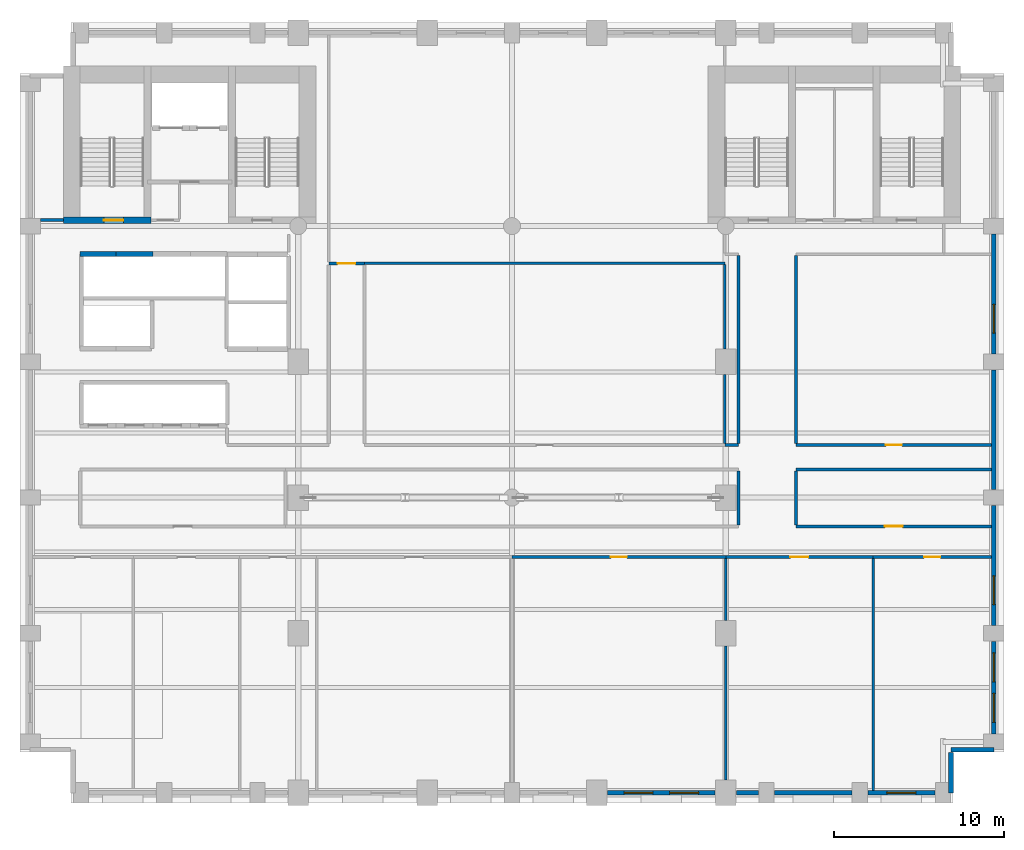
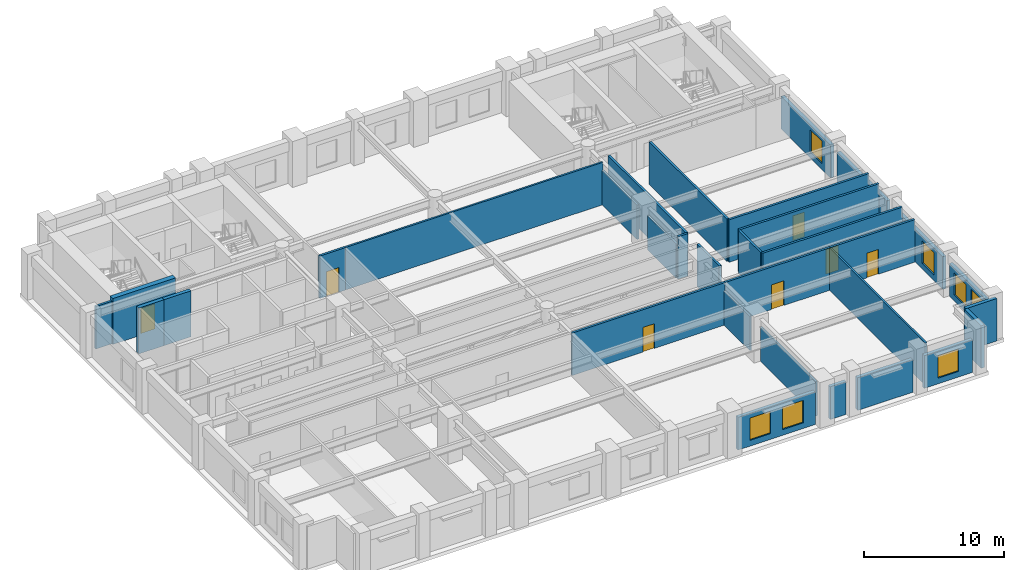
# One storey, part 6 of 11: 32 walls, 7 doors, 7 windows, 14 openings.
"""IFC4 building model written with IfcOpenShell, lengths in metres."""

from ifc_helpers import new_model, si_unit, direction, frame, frame_2d, origin, place, context, subcontext, project, spatial, rectangle, extrude, material, layer, layer_set, type_object, element, fill, save


model = new_model("IFC4")

# Units and contexts
model_context = context("Model", 3, precision=1e-05, world=origin(), true_north=direction((0.0, 1.0)))
body_context = subcontext(model_context, "Body", "Model", "MODEL_VIEW")
ifc_project = project(units=[si_unit("LENGTHUNIT", "METRE"), si_unit("AREAUNIT", "SQUARE_METRE"), si_unit("VOLUMEUNIT", "CUBIC_METRE"), si_unit("PLANEANGLEUNIT", "RADIAN"), si_unit("MASSUNIT", "GRAM", prefix="KILO")], contexts=[model_context])

# Site, building, storey
site_placement = place(None, origin())
site = spatial("IfcSite", under=ifc_project, at=site_placement, CompositionType="ELEMENT")
building_placement = place(site_placement, origin())
building = spatial("IfcBuilding", under=site, at=building_placement, Name="Sulina Concourse Tower", CompositionType="ELEMENT")
storey_placement = place(building_placement, frame((0.0, 0.0, 46.60009765625)))
storey = spatial("IfcBuildingStorey", under=building, at=storey_placement, Name="L11", CompositionType="ELEMENT", Elevation=46.60009765625)

# Walls
ifc_material_1 = material(Name="Concrete C50/60", Category="concrete")
ifc_layer_1 = layer(ifc_material_1, 0.300048828125)
ifc_layer_set_1 = layer_set([ifc_layer_1], Name="Concrete C50/60")
wall_type_1 = type_object("IfcWallType", Name="Core Lift Hoistway Wall 300mm", PredefinedType="SOLIDWALL", material=ifc_layer_set_1)
wall_1_placement = place(storey_placement, frame((3.550048828125, 32.35009765625, 0.0), z_axis=(0.0, 0.0, 1.0), x_axis=(1.0, 0.0, 0.0)))
element("IfcWall", 1, at=wall_1_placement, inside=storey, type_object=wall_type_1, Name="L11 hoistway enclosure wall LP-09", PredefinedType="SOLIDWALL", context=body_context, shape_type="SweptSolid", body=[
    extrude(rectangle(XDim=2.099853515625, YDim=0.300048828125, at=frame_2d((1.0498046875, 0.0))), origin(), (0.0, 0.0, 1.0), 4.0),
])
wall_2_placement = place(storey_placement, frame((5.64990234375, 32.35009765625, 0.0), z_axis=(0.0, 0.0, 1.0), x_axis=(1.0, 0.0, 0.0)))
element("IfcWall", 2, at=wall_2_placement, inside=storey, type_object=wall_type_1, Name="L11 hoistway enclosure wall LP-10", PredefinedType="SOLIDWALL", context=body_context, shape_type="SweptSolid", body=[
    extrude(rectangle(XDim=2.2001953125, YDim=0.300048828125, at=frame_2d((1.10009765625, 0.0))), origin(), (0.0, 0.0, 1.0), 4.0),
])
ifc_material_2 = material(Name="Gypsum board on steel stud", Category="steel")
ifc_layer_2 = layer(ifc_material_2, 0.14990234375)
ifc_layer_set_2 = layer_set([ifc_layer_2], Name="Gypsum board on steel stud")
wall_type_2 = type_object("IfcWallType", Name="Inter-Tenancy Acoustic Partition 150mm", PredefinedType="PARTITIONING", material=ifc_layer_set_2)
wall_3_placement = place(storey_placement, frame((20.300048828125, 31.800048828125, 0.0), z_axis=(0.0, 0.0, 1.0), x_axis=(1.0, 0.0, 0.0)))
element("IfcWall", 3, at=wall_3_placement, inside=storey, type_object=wall_type_2, Name="L11 interior partition 019", PredefinedType="PARTITIONING", context=body_context, shape_type="SweptSolid", body=[
    extrude(rectangle(XDim=21.25, YDim=0.14990234375, at=frame_2d((10.625, 0.0))), origin(), (0.0, 0.0, 1.0), 3.699951171875),
])
wall_4_placement = place(storey_placement, frame((41.550048828125, 21.18994140625, 0.0), z_axis=(0.0, 0.0, 1.0), x_axis=(0.0, 1.0, 0.0)))
element("IfcWall", 4, at=wall_4_placement, inside=storey, type_object=wall_type_2, Name="L11 interior partition 039", PredefinedType="PARTITIONING", context=body_context, shape_type="SweptSolid", body=[
    extrude(rectangle(XDim=4.06005859375, YDim=0.14990234375, at=frame_2d((2.030029296875, 0.0))), origin(), (0.0, 0.0, 1.0), 2.994873046875),
])
wall_5_placement = place(storey_placement, frame((41.550048828125, 26.75, 0.0), z_axis=(0.0, 0.0, 1.0), x_axis=(0.0, 1.0, 0.0)))
element("IfcWall", 5, at=wall_5_placement, inside=storey, type_object=wall_type_2, Name="L11 interior partition 040", PredefinedType="PARTITIONING", context=body_context, shape_type="SweptSolid", body=[
    extrude(rectangle(XDim=4.97509765625, YDim=0.14990234375, at=frame_2d((2.487548828125, 0.0))), origin(), (0.0, 0.0, 1.0), 2.994873046875),
])
wall_6_placement = place(storey_placement, frame((41.60009765625, 1.35009765625, 0.0), z_axis=(0.0, 0.0, 1.0), x_axis=(0.0, 1.0, 0.0)))
element("IfcWall", 6, at=wall_6_placement, inside=storey, type_object=wall_type_2, Name="L11 interior partition 043", PredefinedType="PARTITIONING", context=body_context, shape_type="SweptSolid", body=[
    extrude(rectangle(XDim=7.89990234375, YDim=0.14990234375, at=frame_2d((3.949951171875, 0.0))), origin(), (0.0, 0.0, 1.0), 2.994873046875),
])
wall_7_placement = place(storey_placement, frame((41.60009765625, 10.75, 0.0), z_axis=(0.0, 0.0, 1.0), x_axis=(0.0, 1.0, 0.0)))
element("IfcWall", 7, at=wall_7_placement, inside=storey, type_object=wall_type_2, Name="L11 interior partition 044", PredefinedType="PARTITIONING", context=body_context, shape_type="SweptSolid", body=[
    extrude(rectangle(XDim=3.659912109375, YDim=0.14990234375, at=frame_2d((1.830078125, 0.0))), origin(), (0.0, 0.0, 1.0), 2.994873046875),
])
wall_8_placement = place(storey_placement, frame((50.280029296875, 0.739990234375, 0.0), z_axis=(0.0, 0.0, 1.0), x_axis=(0.0, 1.0, 0.0)))
element("IfcWall", 8, at=wall_8_placement, inside=storey, type_object=wall_type_2, Name="L11 interior partition 050", PredefinedType="PARTITIONING", context=body_context, shape_type="SweptSolid", body=[
    extrude(rectangle(XDim=13.669921875, YDim=0.14990234375, at=frame_2d((6.8349609375, 0.0))), origin(), (0.0, 0.0, 1.0), 3.699951171875),
])

# Wall, opening, door
ifc_material_3 = material(Name="Gypsum board on steel stud", Category="steel")
ifc_layer_3 = layer(ifc_material_3, 0.179931640625)
ifc_layer_set_3 = layer_set([ifc_layer_3], Name="Gypsum board on steel stud")
wall_type_3 = type_object("IfcWallType", Name="Protected Corridor & Riser Partition 180mm", PredefinedType="PARTITIONING", material=ifc_layer_set_3)
wall_9_placement = place(storey_placement, frame((29.0, 14.5, 0.0), z_axis=(0.0, 0.0, 1.0), x_axis=(1.0, 0.0, 0.0)))
wall_9 = element("IfcWall", 9, at=wall_9_placement, inside=storey, type_object=wall_type_3, Name="L11 interior partition 005", PredefinedType="PARTITIONING", context=body_context, shape_type="SweptSolid", body=[
    extrude(rectangle(XDim=12.60009765625, YDim=0.179931640625, at=frame_2d((6.300048828125, 0.0))), origin(), (0.0, 0.0, 1.0), 3.699951171875),
])
opening_1_placement = place(wall_9_placement, frame((5.824951171875, 0.0, 0.0)))
opening_1 = element("IfcOpeningElement", 10, at=opening_1_placement, cuts=wall_9, Name="Opening DR-19", PredefinedType="OPENING", context=body_context, shape_type="SweptSolid", body=[
    extrude(rectangle(XDim=0.949951171875, YDim=2.14990234375, at=frame_2d((0.47509765625, 1.074951171875))), frame((0.0, 0.099853515625, 0.0), z_axis=(0.0, -1.0, 0.0), x_axis=(1.0, 0.0, 0.0)), (0.0, 0.0, 1.0), 0.199951171875),
])
ifc_material_4 = material(Name="Oak-veneered acoustic timber leaf", Category="wood")
ifc_layer_4 = layer(ifc_material_4, 0.050048828125)
ifc_layer_set_4 = layer_set([ifc_layer_4], Name="Oak-veneered acoustic timber leaf")
door_type_1 = type_object("IfcDoorType", Name="Cellular Office & Meeting Door 950x2150", OperationType="NOTDEFINED", PredefinedType="DOOR", material=ifc_layer_set_4)
door_1_placement = place(opening_1_placement, origin())
door_1 = element("IfcDoor", 11, at=door_1_placement, inside=storey, type_object=door_type_1, Name="L11 interior door L11-S04", OperationType="SINGLE_SWING_LEFT", OverallHeight=2.14990234375, OverallWidth=0.949951171875, PredefinedType="DOOR", context=body_context, shape_type="SweptSolid", body=[
    extrude(rectangle(XDim=0.949951171875, YDim=2.14990234375, at=frame_2d((0.47509765625, 1.074951171875))), frame((0.0, 0.02490234375, 0.0), z_axis=(0.0, -1.0, 0.0), x_axis=(1.0, 0.0, 0.0)), (0.0, 0.0, 1.0), 0.050048828125),
])
fill(opening_1, door_1)

wall_10_placement = place(storey_placement, frame((41.60009765625, 14.5, 0.0), z_axis=(0.0, 0.0, 1.0), x_axis=(1.0, 0.0, 0.0)))
wall_10 = element("IfcWall", 12, at=wall_10_placement, inside=storey, type_object=wall_type_3, Name="L11 interior partition 006", PredefinedType="PARTITIONING", context=body_context, shape_type="SweptSolid", body=[
    extrude(rectangle(XDim=8.679931640625, YDim=0.179931640625, at=frame_2d((4.33984375, 0.0))), origin(), (0.0, 0.0, 1.0), 3.699951171875),
])
opening_2_placement = place(wall_10_placement, frame((3.81494140625, 0.0, 0.0)))
opening_2 = element("IfcOpeningElement", 13, at=opening_2_placement, cuts=wall_10, Name="Opening DR-37", PredefinedType="OPENING", context=body_context, shape_type="SweptSolid", body=[
    extrude(rectangle(XDim=1.050048828125, YDim=2.14990234375, at=frame_2d((0.52490234375, 1.074951171875))), frame((0.0, 0.099853515625, 0.0), z_axis=(0.0, -1.0, 0.0), x_axis=(1.0, 0.0, 0.0)), (0.0, 0.0, 1.0), 0.199951171875),
])
ifc_material_5 = material(Name="Oak-veneered fire door leaf")
ifc_layer_5 = layer(ifc_material_5, 0.050048828125)
ifc_layer_set_5 = layer_set([ifc_layer_5], Name="Oak-veneered fire door leaf")
door_type_2 = type_object("IfcDoorType", Name="Tenant Suite Entrance Fire Door 1050x2150", OperationType="NOTDEFINED", PredefinedType="DOOR", material=ifc_layer_set_5)
door_2_placement = place(opening_2_placement, origin())
door_2 = element("IfcDoor", 14, at=door_2_placement, inside=storey, type_object=door_type_2, Name="L11 interior door L11-S05", OperationType="SINGLE_SWING_RIGHT", OverallHeight=2.14990234375, OverallWidth=1.050048828125, PredefinedType="DOOR", context=body_context, shape_type="SweptSolid", body=[
    extrude(rectangle(XDim=1.050048828125, YDim=2.14990234375, at=frame_2d((0.52490234375, 1.074951171875))), frame((0.0, 0.02490234375, 0.0), z_axis=(0.0, -1.0, 0.0), x_axis=(1.0, 0.0, 0.0)), (0.0, 0.0, 1.0), 0.050048828125),
])
fill(opening_2, door_2)

wall_11_placement = place(storey_placement, frame((50.280029296875, 14.5, 0.0), z_axis=(0.0, 0.0, 1.0), x_axis=(1.0, 0.0, 0.0)))
wall_11 = element("IfcWall", 15, at=wall_11_placement, inside=storey, type_object=wall_type_3, Name="L11 interior partition 007", PredefinedType="PARTITIONING", context=body_context, shape_type="SweptSolid", body=[
    extrude(rectangle(XDim=6.97998046875, YDim=0.179931640625, at=frame_2d((3.489990234375, 0.0))), origin(), (0.0, 0.0, 1.0), 3.699951171875),
])
opening_3_placement = place(wall_11_placement, frame((3.014892578125, 0.0, 0.0)))
opening_3 = element("IfcOpeningElement", 16, at=opening_3_placement, cuts=wall_11, Name="Opening DR-19", PredefinedType="OPENING", context=body_context, shape_type="SweptSolid", body=[
    extrude(rectangle(XDim=0.949951171875, YDim=2.14990234375, at=frame_2d((0.47509765625, 1.074951171875))), frame((0.0, 0.099853515625, 0.0), z_axis=(0.0, -1.0, 0.0), x_axis=(1.0, 0.0, 0.0)), (0.0, 0.0, 1.0), 0.199951171875),
])
door_3_placement = place(opening_3_placement, origin())
door_3 = element("IfcDoor", 17, at=door_3_placement, inside=storey, type_object=door_type_1, Name="L11 interior door L11-S06", OperationType="SINGLE_SWING_LEFT", OverallHeight=2.14990234375, OverallWidth=0.949951171875, PredefinedType="DOOR", context=body_context, shape_type="SweptSolid", body=[
    extrude(rectangle(XDim=0.949951171875, YDim=2.14990234375, at=frame_2d((0.47509765625, 1.074951171875))), frame((0.0, 0.02490234375, 0.0), z_axis=(0.0, -1.0, 0.0), x_axis=(1.0, 0.0, 0.0)), (0.0, 0.0, 1.0), 0.050048828125),
])
fill(opening_3, door_3)

wall_12_placement = place(storey_placement, frame((45.75, 16.300048828125, 0.0), z_axis=(0.0, 0.0, 1.0), x_axis=(1.0, 0.0, 0.0)))
wall_12 = element("IfcWall", 18, at=wall_12_placement, inside=storey, type_object=wall_type_3, Name="L11 interior partition 010", PredefinedType="PARTITIONING", context=body_context, shape_type="SweptSolid", body=[
    extrude(rectangle(XDim=11.510009765625, YDim=0.179931640625, at=frame_2d((5.7548828125, 0.0))), origin(), (0.0, 0.0, 1.0), 3.699951171875),
])
opening_4_placement = place(wall_12_placement, frame((5.22998046875, 0.0, 0.0)))
opening_4 = element("IfcOpeningElement", 19, at=opening_4_placement, cuts=wall_12, Name="Opening DR-37", PredefinedType="OPENING", context=body_context, shape_type="SweptSolid", body=[
    extrude(rectangle(XDim=1.050048828125, YDim=2.14990234375, at=frame_2d((0.52490234375, 1.074951171875))), frame((0.0, 0.099853515625, 0.0), z_axis=(0.0, -1.0, 0.0), x_axis=(1.0, 0.0, 0.0)), (0.0, 0.0, 1.0), 0.199951171875),
])
door_4_placement = place(opening_4_placement, origin())
door_4 = element("IfcDoor", 20, at=door_4_placement, inside=storey, type_object=door_type_2, Name="L11 interior door L11-OFF-LBTE", OperationType="SINGLE_SWING_LEFT", OverallHeight=2.14990234375, OverallWidth=1.050048828125, PredefinedType="DOOR", context=body_context, shape_type="SweptSolid", body=[
    extrude(rectangle(XDim=1.050048828125, YDim=2.14990234375, at=frame_2d((0.52490234375, 1.074951171875))), frame((0.0, 0.02490234375, 0.0), z_axis=(0.0, -1.0, 0.0), x_axis=(1.0, 0.0, 0.0)), (0.0, 0.0, 1.0), 0.050048828125),
])
fill(opening_4, door_4)

# Walls
wall_13_placement = place(storey_placement, frame((45.75, 19.64990234375, 0.0), z_axis=(0.0, 0.0, 1.0), x_axis=(1.0, 0.0, 0.0)))
element("IfcWall", 21, at=wall_13_placement, inside=storey, type_object=wall_type_3, Name="L11 interior partition 013", PredefinedType="PARTITIONING", context=body_context, shape_type="SweptSolid", body=[
    extrude(rectangle(XDim=11.510009765625, YDim=0.179931640625, at=frame_2d((5.7548828125, 0.0))), origin(), (0.0, 0.0, 1.0), 3.699951171875),
])
wall_14_placement = place(storey_placement, frame((41.550048828125, 21.10009765625, 0.0), z_axis=(0.0, 0.0, 1.0), x_axis=(1.0, 0.0, 0.0)))
element("IfcWall", 22, at=wall_14_placement, inside=storey, type_object=wall_type_3, Name="L11 interior partition 016", PredefinedType="PARTITIONING", context=body_context, shape_type="SweptSolid", body=[
    extrude(rectangle(XDim=0.800048828125, YDim=0.179931640625, at=frame_2d((0.39990234375, 0.0))), origin(), (0.0, 0.0, 1.0), 3.699951171875),
])

# Wall, opening, door
wall_15_placement = place(storey_placement, frame((45.75, 21.10009765625, 0.0), z_axis=(0.0, 0.0, 1.0), x_axis=(1.0, 0.0, 0.0)))
wall_15 = element("IfcWall", 23, at=wall_15_placement, inside=storey, type_object=wall_type_3, Name="L11 interior partition 017", PredefinedType="PARTITIONING", context=body_context, shape_type="SweptSolid", body=[
    extrude(rectangle(XDim=11.510009765625, YDim=0.179931640625, at=frame_2d((5.7548828125, 0.0))), origin(), (0.0, 0.0, 1.0), 3.699951171875),
])
opening_5_placement = place(wall_15_placement, frame((5.280029296875, 0.0, 0.0)))
opening_5 = element("IfcOpeningElement", 24, at=opening_5_placement, cuts=wall_15, Name="Opening DR-19", PredefinedType="OPENING", context=body_context, shape_type="SweptSolid", body=[
    extrude(rectangle(XDim=0.949951171875, YDim=2.14990234375, at=frame_2d((0.47509765625, 1.074951171875))), frame((0.0, 0.099853515625, 0.0), z_axis=(0.0, -1.0, 0.0), x_axis=(1.0, 0.0, 0.0)), (0.0, 0.0, 1.0), 0.199951171875),
])
door_5_placement = place(opening_5_placement, origin())
door_5 = element("IfcDoor", 25, at=door_5_placement, inside=storey, type_object=door_type_1, Name="L11 interior door L11-NE1", OperationType="SINGLE_SWING_LEFT", OverallHeight=2.14990234375, OverallWidth=0.949951171875, PredefinedType="DOOR", context=body_context, shape_type="SweptSolid", body=[
    extrude(rectangle(XDim=0.949951171875, YDim=2.14990234375, at=frame_2d((0.47509765625, 1.074951171875))), frame((0.0, 0.02490234375, 0.0), z_axis=(0.0, -1.0, 0.0), x_axis=(1.0, 0.0, 0.0)), (0.0, 0.0, 1.0), 0.050048828125),
])
fill(opening_5, door_5)

wall_16_placement = place(storey_placement, frame((18.199951171875, 31.800048828125, 0.0), z_axis=(0.0, 0.0, 1.0), x_axis=(1.0, 0.0, 0.0)))
wall_16 = element("IfcWall", 26, at=wall_16_placement, inside=storey, type_object=wall_type_3, Name="L11 interior partition 018", PredefinedType="PARTITIONING", context=body_context, shape_type="SweptSolid", body=[
    extrude(rectangle(XDim=2.10009765625, YDim=0.179931640625, at=frame_2d((1.050048828125, 0.0))), origin(), (0.0, 0.0, 1.0), 3.699951171875),
])
opening_6_placement = place(wall_16_placement, frame((0.52490234375, 0.0, 0.0)))
opening_6 = element("IfcOpeningElement", 27, at=opening_6_placement, cuts=wall_16, Name="Opening DR-37", PredefinedType="OPENING", context=body_context, shape_type="SweptSolid", body=[
    extrude(rectangle(XDim=1.050048828125, YDim=2.14990234375, at=frame_2d((0.52490234375, 1.074951171875))), frame((0.0, 0.099853515625, 0.0), z_axis=(0.0, -1.0, 0.0), x_axis=(1.0, 0.0, 0.0)), (0.0, 0.0, 1.0), 0.199951171875),
])
door_6_placement = place(opening_6_placement, origin())
door_6 = element("IfcDoor", 28, at=door_6_placement, inside=storey, type_object=door_type_2, Name="L11 interior door L11-NC4", OperationType="SINGLE_SWING_RIGHT", OverallHeight=2.14990234375, OverallWidth=1.050048828125, PredefinedType="DOOR", context=body_context, shape_type="SweptSolid", body=[
    extrude(rectangle(XDim=1.050048828125, YDim=2.14990234375, at=frame_2d((0.52490234375, 1.074951171875))), frame((0.0, 0.02490234375, 0.0), z_axis=(0.0, -1.0, 0.0), x_axis=(1.0, 0.0, 0.0)), (0.0, 0.0, 1.0), 0.050048828125),
])
fill(opening_6, door_6)

# Walls
wall_17_placement = place(storey_placement, frame((1.199951171875, 34.35009765625, 0.0), z_axis=(0.0, 0.0, 1.0), x_axis=(1.0, 0.0, 0.0)))
element("IfcWall", 29, at=wall_17_placement, inside=storey, type_object=wall_type_3, Name="L11 interior partition 023", PredefinedType="PARTITIONING", context=body_context, shape_type="SweptSolid", body=[
    extrude(rectangle(XDim=1.35009765625, YDim=0.179931640625, at=frame_2d((0.675048828125, 0.0))), origin(), (0.0, 0.0, 1.0), 3.699951171875),
])
wall_18_placement = place(storey_placement, frame((42.35009765625, 16.389892578125, 0.0), z_axis=(0.0, 0.0, 1.0), x_axis=(0.0, 1.0, 0.0)))
element("IfcWall", 30, at=wall_18_placement, inside=storey, type_object=wall_type_3, Name="L11 interior partition 045", PredefinedType="PARTITIONING", context=body_context, shape_type="SweptSolid", body=[
    extrude(rectangle(XDim=3.170166015625, YDim=0.179931640625, at=frame_2d((1.5849609375, 0.0))), origin(), (0.0, 0.0, 1.0), 3.699951171875),
])
wall_19_placement = place(storey_placement, frame((42.35009765625, 21.18994140625, 0.0), z_axis=(0.0, 0.0, 1.0), x_axis=(0.0, 1.0, 0.0)))
element("IfcWall", 31, at=wall_19_placement, inside=storey, type_object=wall_type_3, Name="L11 interior partition 046", PredefinedType="PARTITIONING", context=body_context, shape_type="SweptSolid", body=[
    extrude(rectangle(XDim=11.0849609375, YDim=0.179931640625, at=frame_2d((5.54248046875, 0.0))), origin(), (0.0, 0.0, 1.0), 3.699951171875),
])
wall_20_placement = place(storey_placement, frame((45.75, 16.389892578125, 0.0), z_axis=(0.0, 0.0, 1.0), x_axis=(0.0, 1.0, 0.0)))
element("IfcWall", 32, at=wall_20_placement, inside=storey, type_object=wall_type_3, Name="L11 interior partition 047", PredefinedType="PARTITIONING", context=body_context, shape_type="SweptSolid", body=[
    extrude(rectangle(XDim=3.170166015625, YDim=0.179931640625, at=frame_2d((1.5849609375, 0.0))), origin(), (0.0, 0.0, 1.0), 3.699951171875),
])
wall_21_placement = place(storey_placement, frame((45.75, 21.18994140625, 0.0), z_axis=(0.0, 0.0, 1.0), x_axis=(0.0, 1.0, 0.0)))
element("IfcWall", 33, at=wall_21_placement, inside=storey, type_object=wall_type_3, Name="L11 interior partition 048", PredefinedType="PARTITIONING", context=body_context, shape_type="SweptSolid", body=[
    extrude(rectangle(XDim=11.0849609375, YDim=0.179931640625, at=frame_2d((5.54248046875, 0.0))), origin(), (0.0, 0.0, 1.0), 3.699951171875),
])

# Wall, opening, door
ifc_material_6 = material(Name="Concrete C60/75", Category="concrete")
ifc_layer_6 = layer(ifc_material_6, 0.39990234375)
ifc_layer_set_6 = layer_set([ifc_layer_6], Name="Concrete C60/75")
wall_type_4 = type_object("IfcWallType", Name="Protected Stair Core Shear Wall 400mm", PredefinedType="SHEAR", material=ifc_layer_set_6)
wall_22_placement = place(storey_placement, frame((2.550048828125, 34.35009765625, 0.0), z_axis=(0.0, 0.0, 1.0), x_axis=(1.0, 0.0, 0.0)))
wall_22 = element("IfcWall", 34, at=wall_22_placement, inside=storey, type_object=wall_type_4, Name="L11 west core shear wall CW-WS1", PredefinedType="SHEAR", context=body_context, shape_type="SweptSolid", body=[
    extrude(rectangle(XDim=5.159912109375, YDim=0.39990234375, at=frame_2d((2.580078125, 0.0))), origin(), (0.0, 0.0, 1.0), 4.0),
])
opening_7_placement = place(wall_22_placement, frame((2.39990234375, 0.0, 0.0)))
opening_7 = element("IfcOpeningElement", 35, at=opening_7_placement, cuts=wall_22, Name="Opening DR-60", PredefinedType="OPENING", context=body_context, shape_type="SweptSolid", body=[
    extrude(rectangle(XDim=1.14990234375, YDim=2.199951171875, at=frame_2d((0.574951171875, 1.10009765625))), frame((0.0, 0.2099609375, 0.0), z_axis=(0.0, -1.0, 0.0), x_axis=(1.0, 0.0, 0.0)), (0.0, 0.0, 1.0), 0.419921875),
])
ifc_material_7 = material(Name="Galvanised steel acoustic fire leaf", Category="steel")
ifc_layer_7 = layer(ifc_material_7, 0.054931640625)
ifc_layer_set_7 = layer_set([ifc_layer_7], Name="Galvanised steel acoustic fire leaf")
door_type_3 = type_object("IfcDoorType", Name="Protected Exit Stair Fire Door 1150x2200", OperationType="NOTDEFINED", PredefinedType="DOOR", material=ifc_layer_set_7)
door_7_placement = place(opening_7_placement, origin())
door_7 = element("IfcDoor", 36, at=door_7_placement, inside=storey, type_object=door_type_3, Name="L11 stair ST-1 lobby fire door", OperationType="SINGLE_SWING_RIGHT", OverallHeight=2.199951171875, OverallWidth=1.14990234375, PredefinedType="DOOR", context=body_context, shape_type="SweptSolid", body=[
    extrude(rectangle(XDim=1.14990234375, YDim=2.199951171875, at=frame_2d((0.574951171875, 1.10009765625))), frame((0.0, 0.02490234375, 0.0), z_axis=(0.0, -1.0, 0.0), x_axis=(1.0, 0.0, 0.0)), (0.0, 0.0, 1.0), 0.050048828125),
])
fill(opening_7, door_7)

# Wall, openings, windows
ifc_material_8 = material(Name="Precast concrete C50/60", Category="concrete")
ifc_layer_8 = layer(ifc_material_8, 0.280029296875)
ifc_layer_set_8 = layer_set([ifc_layer_8], Name="Precast concrete C50/60")
wall_type_5 = type_object("IfcWallType", Name="Typical Precast Masonry-Frame Facade Wall 280mm", PredefinedType="SOLIDWALL", material=ifc_layer_set_8)
wall_23_placement = place(storey_placement, frame((40.97998046875, 0.60009765625, 0.0), z_axis=(0.0, 0.0, 1.0), x_axis=(-1.0, 0.0, 0.0)))
wall_23 = element("IfcWall", 37, at=wall_23_placement, inside=storey, type_object=wall_type_5, Name="L11 exterior precast wall S7", PredefinedType="SOLIDWALL", context=body_context, shape_type="SweptSolid", body=[
    extrude(rectangle(XDim=6.35986328125, YDim=0.280029296875, at=frame_2d((3.179931640625, 0.0))), origin(), (0.0, 0.0, 1.0), 2.849853515625),
])
opening_8_placement = place(wall_23_placement, frame((0.98681640625, 0.0, 0.5)))
opening_8 = element("IfcOpeningElement", 38, at=opening_8_placement, cuts=wall_23, Name="Opening WN-66", PredefinedType="OPENING", context=body_context, shape_type="SweptSolid", body=[
    extrude(rectangle(XDim=1.699951171875, YDim=1.949951171875, at=frame_2d((0.85009765625, 0.97509765625))), frame((0.0, 0.14990234375, 0.0), z_axis=(0.0, -1.0, 0.0), x_axis=(1.0, 0.0, 0.0)), (0.0, 0.0, 1.0), 0.300048828125),
])
opening_9_placement = place(wall_23_placement, frame((3.67333984375, 0.0, 0.5)))
opening_9 = element("IfcOpeningElement", 39, at=opening_9_placement, cuts=wall_23, Name="Opening WN-66", PredefinedType="OPENING", context=body_context, shape_type="SweptSolid", body=[
    extrude(rectangle(XDim=1.699951171875, YDim=1.949951171875, at=frame_2d((0.85009765625, 0.97509765625))), frame((0.0, 0.14990234375, 0.0), z_axis=(0.0, -1.0, 0.0), x_axis=(1.0, 0.0, 0.0)), (0.0, 0.0, 1.0), 0.300048828125),
])
ifc_material_9 = material(Name="Low-E solar double glazing in bronze aluminium", Category="aluminium")
window_type = type_object("IfcWindowType", Name="Recessed Spandrel Window 1700x1950", PartitioningType="SINGLE_PANEL", PredefinedType="WINDOW", material=ifc_material_9)
window_1_placement = place(opening_8_placement, origin())
window_1 = element("IfcWindow", 40, at=window_1_placement, inside=storey, type_object=window_type, Name="L11 punched window S7-1", OverallHeight=1.949951171875, OverallWidth=1.699951171875, PartitioningType="SINGLE_PANEL", PredefinedType="WINDOW", context=body_context, shape_type="SweptSolid", body=[
    extrude(rectangle(XDim=1.699951171875, YDim=1.949951171875, at=frame_2d((0.85009765625, 0.97509765625))), frame((0.0, 0.030029296875, 0.0), z_axis=(0.0, -1.0, 0.0), x_axis=(1.0, 0.0, 0.0)), (0.0, 0.0, 1.0), 0.06005859375),
])
fill(opening_8, window_1)
window_2_placement = place(opening_9_placement, origin())
window_2 = element("IfcWindow", 41, at=window_2_placement, inside=storey, type_object=window_type, Name="L11 punched window S7-2", OverallHeight=1.949951171875, OverallWidth=1.699951171875, PartitioningType="SINGLE_PANEL", PredefinedType="WINDOW", context=body_context, shape_type="SweptSolid", body=[
    extrude(rectangle(XDim=1.699951171875, YDim=1.949951171875, at=frame_2d((0.85009765625, 0.97509765625))), frame((0.0, 0.030029296875, 0.0), z_axis=(0.0, -1.0, 0.0), x_axis=(1.0, 0.0, 0.0)), (0.0, 0.0, 1.0), 0.06005859375),
])
fill(opening_9, window_2)

# Walls
wall_24_placement = place(storey_placement, frame((43.530029296875, 0.60009765625, 0.0), z_axis=(0.0, 0.0, 1.0), x_axis=(-1.0, 0.0, 0.0)))
element("IfcWall", 42, at=wall_24_placement, inside=storey, type_object=wall_type_5, Name="L11 exterior precast wall S8", PredefinedType="SOLIDWALL", context=body_context, shape_type="SweptSolid", body=[
    extrude(rectangle(XDim=1.31005859375, YDim=0.280029296875, at=frame_2d((0.655029296875, 0.0))), origin(), (0.0, 0.0, 1.0), 2.849853515625),
])
wall_25_placement = place(storey_placement, frame((49.030029296875, 0.60009765625, 0.0), z_axis=(0.0, 0.0, 1.0), x_axis=(-1.0, 0.0, 0.0)))
element("IfcWall", 43, at=wall_25_placement, inside=storey, type_object=wall_type_5, Name="L11 exterior precast wall S9", PredefinedType="SOLIDWALL", context=body_context, shape_type="SweptSolid", body=[
    extrude(rectangle(XDim=4.56005859375, YDim=0.280029296875, at=frame_2d((2.280029296875, 0.0))), origin(), (0.0, 0.0, 1.0), 2.849853515625),
])

# Wall, opening, window
wall_26_placement = place(storey_placement, frame((53.929931640625, 0.60009765625, 0.0), z_axis=(0.0, 0.0, 1.0), x_axis=(-1.0, 0.0, 0.0)))
wall_26 = element("IfcWall", 44, at=wall_26_placement, inside=storey, type_object=wall_type_5, Name="L11 exterior precast wall S10", PredefinedType="SOLIDWALL", context=body_context, shape_type="SweptSolid", body=[
    extrude(rectangle(XDim=3.9599609375, YDim=0.280029296875, at=frame_2d((1.97998046875, 0.0))), origin(), (0.0, 0.0, 1.0), 2.849853515625),
])
opening_10_placement = place(wall_26_placement, frame((1.1298828125, 0.0, 0.5)))
opening_10 = element("IfcOpeningElement", 45, at=opening_10_placement, cuts=wall_26, Name="Opening WN-66", PredefinedType="OPENING", context=body_context, shape_type="SweptSolid", body=[
    extrude(rectangle(XDim=1.699951171875, YDim=1.949951171875, at=frame_2d((0.85009765625, 0.97509765625))), frame((0.0, 0.14990234375, 0.0), z_axis=(0.0, -1.0, 0.0), x_axis=(1.0, 0.0, 0.0)), (0.0, 0.0, 1.0), 0.300048828125),
])
window_3_placement = place(opening_10_placement, origin())
window_3 = element("IfcWindow", 46, at=window_3_placement, inside=storey, type_object=window_type, Name="L11 punched window S10-1", OverallHeight=1.949951171875, OverallWidth=1.699951171875, PartitioningType="SINGLE_PANEL", PredefinedType="WINDOW", context=body_context, shape_type="SweptSolid", body=[
    extrude(rectangle(XDim=1.699951171875, YDim=1.949951171875, at=frame_2d((0.85009765625, 0.97509765625))), frame((0.0, 0.030029296875, 0.0), z_axis=(0.0, -1.0, 0.0), x_axis=(1.0, 0.0, 0.0)), (0.0, 0.0, 1.0), 0.06005859375),
])
fill(opening_10, window_3)

# Wall, openings, windows
wall_27_placement = place(storey_placement, frame((57.39990234375, 9.530029296875, 0.0), z_axis=(0.0, 0.0, 1.0), x_axis=(0.0, -1.0, 0.0)))
wall_27 = element("IfcWall", 47, at=wall_27_placement, inside=storey, type_object=wall_type_5, Name="L11 exterior precast wall E1", PredefinedType="SOLIDWALL", context=body_context, shape_type="SweptSolid", body=[
    extrude(rectangle(XDim=5.4599609375, YDim=0.280029296875, at=frame_2d((2.72998046875, 0.0))), origin(), (0.0, 0.0, 1.0), 2.849853515625),
])
opening_11_placement = place(wall_27_placement, frame((0.686767578125, 0.0, 0.5)))
opening_11 = element("IfcOpeningElement", 48, at=opening_11_placement, cuts=wall_27, Name="Opening WN-66", PredefinedType="OPENING", context=body_context, shape_type="SweptSolid", body=[
    extrude(rectangle(XDim=1.699951171875, YDim=1.949951171875, at=frame_2d((0.85009765625, 0.97509765625))), frame((0.0, 0.14990234375, 0.0), z_axis=(0.0, -1.0, 0.0), x_axis=(1.0, 0.0, 0.0)), (0.0, 0.0, 1.0), 0.300048828125),
])
opening_12_placement = place(wall_27_placement, frame((3.0732421875, 0.0, 0.5)))
opening_12 = element("IfcOpeningElement", 49, at=opening_12_placement, cuts=wall_27, Name="Opening WN-66", PredefinedType="OPENING", context=body_context, shape_type="SweptSolid", body=[
    extrude(rectangle(XDim=1.699951171875, YDim=1.949951171875, at=frame_2d((0.85009765625, 0.97509765625))), frame((0.0, 0.14990234375, 0.0), z_axis=(0.0, -1.0, 0.0), x_axis=(1.0, 0.0, 0.0)), (0.0, 0.0, 1.0), 0.300048828125),
])
window_4_placement = place(opening_11_placement, origin())
window_4 = element("IfcWindow", 50, at=window_4_placement, inside=storey, type_object=window_type, Name="L11 punched window E1-1", OverallHeight=1.949951171875, OverallWidth=1.699951171875, PartitioningType="SINGLE_PANEL", PredefinedType="WINDOW", context=body_context, shape_type="SweptSolid", body=[
    extrude(rectangle(XDim=1.699951171875, YDim=1.949951171875, at=frame_2d((0.85009765625, 0.97509765625))), frame((0.0, 0.030029296875, 0.0), z_axis=(0.0, -1.0, 0.0), x_axis=(1.0, 0.0, 0.0)), (0.0, 0.0, 1.0), 0.06005859375),
])
fill(opening_11, window_4)
window_5_placement = place(opening_12_placement, origin())
window_5 = element("IfcWindow", 51, at=window_5_placement, inside=storey, type_object=window_type, Name="L11 punched window E1-2", OverallHeight=1.949951171875, OverallWidth=1.699951171875, PartitioningType="SINGLE_PANEL", PredefinedType="WINDOW", context=body_context, shape_type="SweptSolid", body=[
    extrude(rectangle(XDim=1.699951171875, YDim=1.949951171875, at=frame_2d((0.85009765625, 0.97509765625))), frame((0.0, 0.030029296875, 0.0), z_axis=(0.0, -1.0, 0.0), x_axis=(1.0, 0.0, 0.0)), (0.0, 0.0, 1.0), 0.06005859375),
])
fill(opening_12, window_5)

# Wall, opening, window
wall_28_placement = place(storey_placement, frame((57.39990234375, 17.530029296875, 0.0), z_axis=(0.0, 0.0, 1.0), x_axis=(0.0, -1.0, 0.0)))
wall_28 = element("IfcWall", 52, at=wall_28_placement, inside=storey, type_object=wall_type_5, Name="L11 exterior precast wall E2", PredefinedType="SOLIDWALL", context=body_context, shape_type="SweptSolid", body=[
    extrude(rectangle(XDim=7.06005859375, YDim=0.280029296875, at=frame_2d((3.530029296875, 0.0))), origin(), (0.0, 0.0, 1.0), 2.849853515625),
])
opening_13_placement = place(wall_28_placement, frame((4.139892578125, 0.0, 0.5)))
opening_13 = element("IfcOpeningElement", 53, at=opening_13_placement, cuts=wall_28, Name="Opening WN-66", PredefinedType="OPENING", context=body_context, shape_type="SweptSolid", body=[
    extrude(rectangle(XDim=1.699951171875, YDim=1.949951171875, at=frame_2d((0.85009765625, 0.97509765625))), frame((0.0, 0.14990234375, 0.0), z_axis=(0.0, -1.0, 0.0), x_axis=(1.0, 0.0, 0.0)), (0.0, 0.0, 1.0), 0.300048828125),
])
window_6_placement = place(opening_13_placement, origin())
window_6 = element("IfcWindow", 54, at=window_6_placement, inside=storey, type_object=window_type, Name="L11 punched window E2-1", OverallHeight=1.949951171875, OverallWidth=1.699951171875, PartitioningType="SINGLE_PANEL", PredefinedType="WINDOW", context=body_context, shape_type="SweptSolid", body=[
    extrude(rectangle(XDim=1.699951171875, YDim=1.949951171875, at=frame_2d((0.85009765625, 0.97509765625))), frame((0.0, 0.030029296875, 0.0), z_axis=(0.0, -1.0, 0.0), x_axis=(1.0, 0.0, 0.0)), (0.0, 0.0, 1.0), 0.06005859375),
])
fill(opening_13, window_6)

# Wall
wall_29_placement = place(storey_placement, frame((57.39990234375, 25.530029296875, 0.0), z_axis=(0.0, 0.0, 1.0), x_axis=(0.0, -1.0, 0.0)))
element("IfcWall", 55, at=wall_29_placement, inside=storey, type_object=wall_type_5, Name="L11 exterior precast wall E3", PredefinedType="SOLIDWALL", context=body_context, shape_type="SweptSolid", body=[
    extrude(rectangle(XDim=7.06005859375, YDim=0.280029296875, at=frame_2d((3.530029296875, 0.0))), origin(), (0.0, 0.0, 1.0), 2.849853515625),
])

# Wall, opening, window
wall_30_placement = place(storey_placement, frame((57.39990234375, 33.530029296875, 0.0), z_axis=(0.0, 0.0, 1.0), x_axis=(0.0, -1.0, 0.0)))
wall_30 = element("IfcWall", 56, at=wall_30_placement, inside=storey, type_object=wall_type_5, Name="L11 exterior precast wall E4", PredefinedType="SOLIDWALL", context=body_context, shape_type="SweptSolid", body=[
    extrude(rectangle(XDim=7.06005859375, YDim=0.280029296875, at=frame_2d((3.530029296875, 0.0))), origin(), (0.0, 0.0, 1.0), 2.849853515625),
])
opening_14_placement = place(wall_30_placement, frame((4.139892578125, 0.0, 0.5)))
opening_14 = element("IfcOpeningElement", 57, at=opening_14_placement, cuts=wall_30, Name="Opening WN-66", PredefinedType="OPENING", context=body_context, shape_type="SweptSolid", body=[
    extrude(rectangle(XDim=1.699951171875, YDim=1.949951171875, at=frame_2d((0.85009765625, 0.97509765625))), frame((0.0, 0.14990234375, 0.0), z_axis=(0.0, -1.0, 0.0), x_axis=(1.0, 0.0, 0.0)), (0.0, 0.0, 1.0), 0.300048828125),
])
window_7_placement = place(opening_14_placement, origin())
window_7 = element("IfcWindow", 58, at=window_7_placement, inside=storey, type_object=window_type, Name="L11 punched window E4-1", OverallHeight=1.949951171875, OverallWidth=1.699951171875, PartitioningType="SINGLE_PANEL", PredefinedType="WINDOW", context=body_context, shape_type="SweptSolid", body=[
    extrude(rectangle(XDim=1.699951171875, YDim=1.949951171875, at=frame_2d((0.85009765625, 0.97509765625))), frame((0.0, 0.030029296875, 0.0), z_axis=(0.0, -1.0, 0.0), x_axis=(1.0, 0.0, 0.0)), (0.0, 0.0, 1.0), 0.06005859375),
])
fill(opening_14, window_7)

# Walls
wall_31_placement = place(storey_placement, frame((57.39990234375, 3.1298828125, 0.0), z_axis=(0.0, 0.0, 1.0), x_axis=(-1.0, 0.0, 0.0)))
element("IfcWall", 59, at=wall_31_placement, inside=storey, type_object=wall_type_5, Name="L11 exterior precast wall CSE1", PredefinedType="SOLIDWALL", context=body_context, shape_type="SweptSolid", body=[
    extrude(rectangle(XDim=2.52978515625, YDim=0.280029296875, at=frame_2d((1.264892578125, 0.0))), origin(), (0.0, 0.0, 1.0), 3.699951171875),
])
wall_32_placement = place(storey_placement, frame((54.8701171875, 2.985107421875, 0.0), z_axis=(0.0, 0.0, 1.0), x_axis=(0.0, -1.0, 0.0)))
element("IfcWall", 60, at=wall_32_placement, inside=storey, type_object=wall_type_5, Name="L11 exterior precast wall CSE2", PredefinedType="SOLIDWALL", context=body_context, shape_type="SweptSolid", body=[
    extrude(rectangle(XDim=2.385009765625, YDim=0.280029296875, at=frame_2d((1.1923828125, 0.0))), origin(), (0.0, 0.0, 1.0), 3.699951171875),
])

save(model, "model.ifc")
